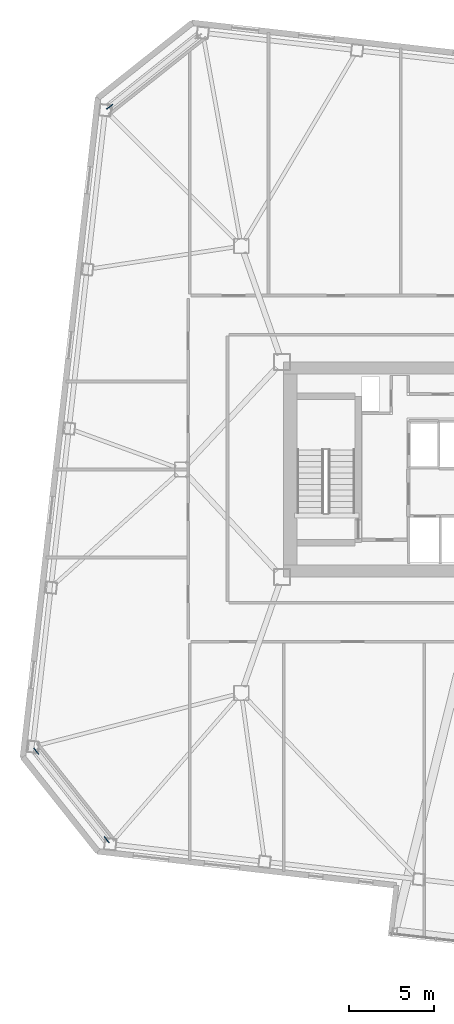
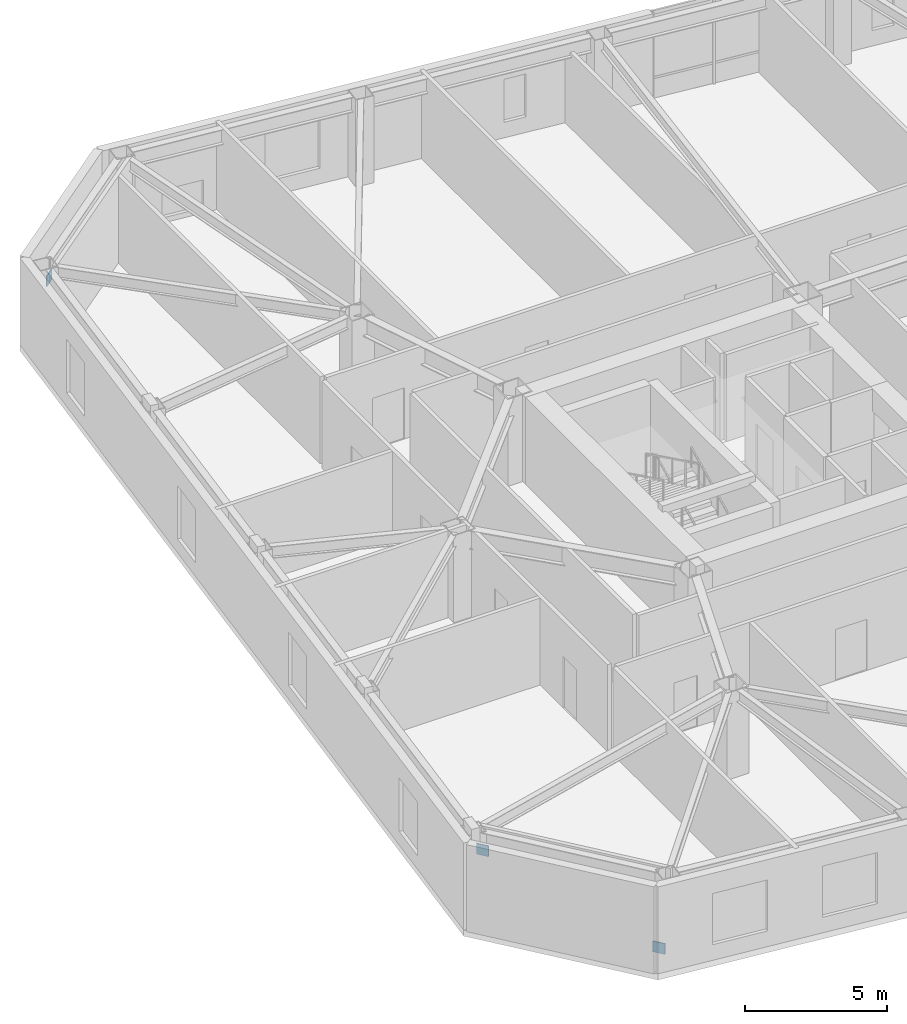
# One storey, part 18 of 22: 3 discrete accessories.
"""IFC4 building model written with IfcOpenShell, lengths in metres."""

from ifc_helpers import new_model, si_unit, direction, frame, origin, origin_2d, place, context, subcontext, project, spatial, rectangle, extrude, material, type_object, element, save


model = new_model("IFC4")

# Units and contexts
model_context = context("Model", 3, precision=1e-05, world=origin(), true_north=direction((0.0, 1.0)))
body_context = subcontext(model_context, "Body", "Model", "MODEL_VIEW")
ifc_project = project(units=[si_unit("LENGTHUNIT", "METRE"), si_unit("AREAUNIT", "SQUARE_METRE"), si_unit("VOLUMEUNIT", "CUBIC_METRE"), si_unit("PLANEANGLEUNIT", "RADIAN"), si_unit("MASSUNIT", "GRAM", prefix="KILO")], contexts=[model_context])

# Site, building, storey
site_placement = place(None, origin())
site = spatial("IfcSite", under=ifc_project, at=site_placement, CompositionType="ELEMENT")
building_placement = place(site_placement, origin())
building = spatial("IfcBuilding", under=site, at=building_placement, Name="Tavrogorsk Clinical Tower", CompositionType="ELEMENT")
storey_placement = place(building_placement, frame((0.0, 0.0, 93.39990234375)))
storey = spatial("IfcBuildingStorey", under=building, at=storey_placement, Name="L20", CompositionType="ELEMENT", Elevation=93.39990234375)

# Discrete accessories
ifc_material = material(Name="Structural steel S440", Category="steel")
discrete_accessory_type = type_object("IfcDiscreteAccessoryType", Name="GussetPlateBracket_25", PredefinedType="BRACKET", material=ifc_material)
for number, where, z_axis, x_axis, name in (
    (1, (-32.27587890625, 21.431884765625, 2.68505859375), (0.0, 0.0, 1.0), (-0.782608156852, -0.622514636638, 0.0), "L20 Brace Gusset Plate EXOCRN-L20-3-B"),
    (2, (-32.452880859375, -21.866455078125, 0.195068359375), (0.0, 0.0, 1.0), (-0.622514636638, 0.782608156852, 0.0), "L20 Brace Gusset Plate EXOCRN-L20-4-A"),
    (3, (-36.613037109375, -16.63623046875, 2.68505859375), (0.0, 0.0, 1.0), (-0.622514636638, 0.782608156852, 0.0), "L20 Brace Gusset Plate EXOCRN-L20-4-B"),
):
    element("IfcDiscreteAccessory", number, at=place(storey_placement, frame(where, z_axis=z_axis, x_axis=x_axis)), inside=storey, type_object=discrete_accessory_type, Name=name, PredefinedType="BRACKET", context=body_context, shape_type="SweptSolid", body=[
        extrude(rectangle(XDim=0.4599609375, YDim=0.0400390625, at=origin_2d()), origin(), (0.0, 0.0, 1.0), 0.4599609375),
    ])

save(model, "model.ifc")
